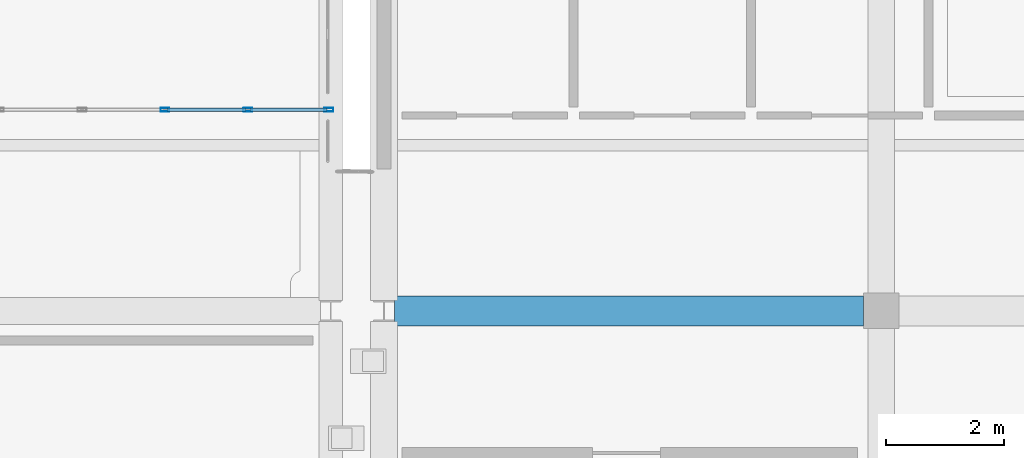
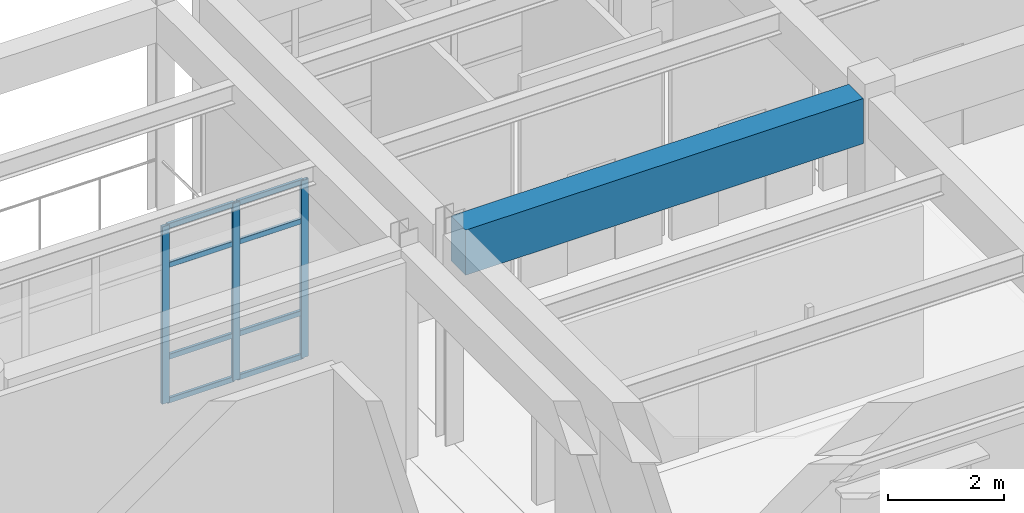
# One storey, part 14 of 139: 11 members, 1 beam, 1 element without a shape of its own.
"""IFC4 building model written with IfcOpenShell, lengths in metres."""

from ifc_helpers import new_model, si_unit, direction, frame, origin, origin_2d, place, context, subcontext, project, spatial, rectangle, hollow_rectangle, extrude, material, material_profile, profile_set, type_object, element, aggregate, save


model = new_model("IFC4")

# Units and contexts
model_context = context("Model", 3, precision=1e-05, world=origin(), true_north=direction((0.0, 1.0)))
body_context = subcontext(model_context, "Body", "Model", "MODEL_VIEW")
ifc_project = project(units=[si_unit("LENGTHUNIT", "METRE"), si_unit("AREAUNIT", "SQUARE_METRE"), si_unit("VOLUMEUNIT", "CUBIC_METRE"), si_unit("PLANEANGLEUNIT", "RADIAN"), si_unit("MASSUNIT", "GRAM", prefix="KILO")], contexts=[model_context])

# Site, building, storey
site_placement = place(None, origin())
site = spatial("IfcSite", under=ifc_project, at=site_placement, CompositionType="ELEMENT")
building_placement = place(site_placement, origin())
building = spatial("IfcBuilding", under=site, at=building_placement, Name="Canglan Escarpment Cableway Terminal", CompositionType="ELEMENT")
storey_placement = place(building_placement, frame((0.0, 0.0, 14.39990234375)))
storey = spatial("IfcBuildingStorey", under=building, at=storey_placement, Name="L03", CompositionType="ELEMENT", Elevation=14.39990234375)

# Beam
ifc_material_1 = material(Name="Concrete C50", Category="concrete")
ifc_material_profile_1 = material_profile(ifc_material_1, rectangle(XDim=0.5, YDim=0.949951171875, at=origin_2d()), Name="RC 500x950")
ifc_profile_set_1 = profile_set([ifc_material_profile_1], Name="Concrete C50")
beam_type = type_object("IfcBeamType", Name="BM-RC500x950", PredefinedType="BEAM", material=ifc_profile_set_1)
beam_placement = place(storey_placement, frame((111.675048828125, 16.39990234375, 4.005126953125), z_axis=(1.0, 0.0, 0.0), x_axis=(0.0, 1.0, 0.0)))
element("IfcBeam", 1, at=beam_placement, inside=storey, type_object=beam_type, Name="Primary structural girder B-01", PredefinedType="BEAM", context=body_context, shape_type="SweptSolid", body=[
    extrude(rectangle(XDim=0.5, YDim=0.949951171875, at=origin_2d()), origin(), (0.0, 0.0, 1.0), 7.925048828125),
])

# Curtain wall, members
ifc_material_2 = material(Name="Anodized bronze aluminium and Low-E double glazing", Category="aluminium")
curtain_wall_type = type_object("IfcCurtainWallType", Name="CW-BAY-8400x3725", PredefinedType="NOTDEFINED", material=ifc_material_2)
curtain_wall_placement = place(storey_placement, origin())
curtain_wall = element("IfcCurtainWall", 2, at=curtain_wall_placement, inside=storey, type_object=curtain_wall_type, Name="Classical bay-between-piers glazed curtain wall CW-14", PredefinedType="NOTDEFINED")
ifc_material_3 = material(Name="Thermally broken anodized aluminium 6063-T6", Category="aluminium")
ifc_material_profile_2 = material_profile(ifc_material_3, hollow_rectangle(XDim=0.06494140625, YDim=0.14990234375, WallThickness=0.00341796875, InnerFilletRadius=0.00341796875, OuterFilletRadius=0.007080078125, at=origin_2d()), Name="ALU-MULL 65x150x3.5")
ifc_profile_set_2 = profile_set([ifc_material_profile_2], Name="Thermally broken anodized aluminium 6063-T6")
member_type_1 = type_object("IfcMemberType", Name="CWM-02", PredefinedType="MULLION", material=ifc_profile_set_2)
member_1_placement = place(storey_placement, frame((110.5673828125, 19.800048828125, 0.0), z_axis=(0.0, 0.0, 1.0), x_axis=(0.0, -1.0, 0.0)))
member_1 = element("IfcMember", 3, at=member_1_placement, type_object=member_type_1, Name="CW-14 mullion 1", PredefinedType="MULLION", context=body_context, shape_type="SweptSolid", body=[
    extrude(hollow_rectangle(XDim=0.06494140625, YDim=0.14990234375, WallThickness=0.00341796875, InnerFilletRadius=0.00341796875, OuterFilletRadius=0.007080078125, at=origin_2d()), origin(), (0.0, 0.0, 1.0), 3.735107421875),
])
member_2_placement = place(storey_placement, frame((109.199951171875, 19.800048828125, 0.0), z_axis=(0.0, 0.0, 1.0), x_axis=(0.0, -1.0, 0.0)))
member_2 = element("IfcMember", 4, at=member_2_placement, type_object=member_type_1, Name="CW-14 mullion 2", PredefinedType="MULLION", context=body_context, shape_type="SweptSolid", body=[
    extrude(hollow_rectangle(XDim=0.06494140625, YDim=0.14990234375, WallThickness=0.00341796875, InnerFilletRadius=0.00341796875, OuterFilletRadius=0.007080078125, at=origin_2d()), origin(), (0.0, 0.0, 1.0), 3.735107421875),
])
member_3_placement = place(storey_placement, frame((107.800048828125, 19.800048828125, 0.0), z_axis=(0.0, 0.0, 1.0), x_axis=(0.0, -1.0, 0.0)))
member_3 = element("IfcMember", 5, at=member_3_placement, type_object=member_type_1, Name="CW-14 mullion 3", PredefinedType="MULLION", context=body_context, shape_type="SweptSolid", body=[
    extrude(hollow_rectangle(XDim=0.06494140625, YDim=0.14990234375, WallThickness=0.00341796875, InnerFilletRadius=0.00341796875, OuterFilletRadius=0.007080078125, at=origin_2d()), origin(), (0.0, 0.0, 1.0), 3.735107421875),
])
ifc_material_profile_3 = material_profile(ifc_material_3, hollow_rectangle(XDim=0.06005859375, YDim=0.110107421875, WallThickness=0.0029296875, InnerFilletRadius=0.0029296875, OuterFilletRadius=0.006103515625, at=origin_2d()), Name="ALU-TRAN 60x110x3")
ifc_profile_set_3 = profile_set([ifc_material_profile_3], Name="Thermally broken anodized aluminium 6063-T6")
member_type_2 = type_object("IfcMemberType", Name="CWT-02", PredefinedType="USERDEFINED", material=ifc_profile_set_3)
member_4_placement = place(storey_placement, frame((110.534912109375, 19.800048828125, 0.030029296875), z_axis=(-1.0, 0.0, 0.0), x_axis=(0.0, -1.0, 0.0)))
member_4 = element("IfcMember", 6, at=member_4_placement, type_object=member_type_2, Name="CW-14 transom 1.1", ObjectType="TRANSOM", PredefinedType="USERDEFINED", context=body_context, shape_type="SweptSolid", body=[
    extrude(hollow_rectangle(XDim=0.06005859375, YDim=0.110107421875, WallThickness=0.0029296875, InnerFilletRadius=0.0029296875, OuterFilletRadius=0.006103515625, at=origin_2d()), origin(), (0.0, 0.0, 1.0), 1.302490234375),
])
member_5_placement = place(storey_placement, frame((110.534912109375, 19.800048828125, 0.9501953125), z_axis=(-1.0, 0.0, 0.0), x_axis=(0.0, -1.0, 0.0)))
member_5 = element("IfcMember", 7, at=member_5_placement, type_object=member_type_2, Name="CW-14 transom 1.2", ObjectType="TRANSOM", PredefinedType="USERDEFINED", context=body_context, shape_type="SweptSolid", body=[
    extrude(hollow_rectangle(XDim=0.06005859375, YDim=0.110107421875, WallThickness=0.0029296875, InnerFilletRadius=0.0029296875, OuterFilletRadius=0.006103515625, at=origin_2d()), origin(), (0.0, 0.0, 1.0), 1.302490234375),
])
member_6_placement = place(storey_placement, frame((110.534912109375, 19.800048828125, 2.885009765625), z_axis=(-1.0, 0.0, 0.0), x_axis=(0.0, -1.0, 0.0)))
member_6 = element("IfcMember", 8, at=member_6_placement, type_object=member_type_2, Name="CW-14 transom 1.3", ObjectType="TRANSOM", PredefinedType="USERDEFINED", context=body_context, shape_type="SweptSolid", body=[
    extrude(hollow_rectangle(XDim=0.06005859375, YDim=0.110107421875, WallThickness=0.0029296875, InnerFilletRadius=0.0029296875, OuterFilletRadius=0.006103515625, at=origin_2d()), origin(), (0.0, 0.0, 1.0), 1.302490234375),
])
member_7_placement = place(storey_placement, frame((110.534912109375, 19.800048828125, 3.705078125), z_axis=(-1.0, 0.0, 0.0), x_axis=(0.0, -1.0, 0.0)))
member_7 = element("IfcMember", 9, at=member_7_placement, type_object=member_type_2, Name="CW-14 transom 1.4", ObjectType="TRANSOM", PredefinedType="USERDEFINED", context=body_context, shape_type="SweptSolid", body=[
    extrude(hollow_rectangle(XDim=0.06005859375, YDim=0.110107421875, WallThickness=0.0029296875, InnerFilletRadius=0.0029296875, OuterFilletRadius=0.006103515625, at=origin_2d()), origin(), (0.0, 0.0, 1.0), 1.302490234375),
])
member_8_placement = place(storey_placement, frame((109.16748046875, 19.800048828125, 0.030029296875), z_axis=(-1.0, 0.0, 0.0), x_axis=(0.0, -1.0, 0.0)))
member_8 = element("IfcMember", 10, at=member_8_placement, type_object=member_type_2, Name="CW-14 transom 2.1", ObjectType="TRANSOM", PredefinedType="USERDEFINED", context=body_context, shape_type="SweptSolid", body=[
    extrude(hollow_rectangle(XDim=0.06005859375, YDim=0.110107421875, WallThickness=0.0029296875, InnerFilletRadius=0.0029296875, OuterFilletRadius=0.006103515625, at=origin_2d()), origin(), (0.0, 0.0, 1.0), 1.3349609375),
])
member_9_placement = place(storey_placement, frame((109.16748046875, 19.800048828125, 0.9501953125), z_axis=(-1.0, 0.0, 0.0), x_axis=(0.0, -1.0, 0.0)))
member_9 = element("IfcMember", 11, at=member_9_placement, type_object=member_type_2, Name="CW-14 transom 2.2", ObjectType="TRANSOM", PredefinedType="USERDEFINED", context=body_context, shape_type="SweptSolid", body=[
    extrude(hollow_rectangle(XDim=0.06005859375, YDim=0.110107421875, WallThickness=0.0029296875, InnerFilletRadius=0.0029296875, OuterFilletRadius=0.006103515625, at=origin_2d()), origin(), (0.0, 0.0, 1.0), 1.3349609375),
])
member_10_placement = place(storey_placement, frame((109.16748046875, 19.800048828125, 2.885009765625), z_axis=(-1.0, 0.0, 0.0), x_axis=(0.0, -1.0, 0.0)))
member_10 = element("IfcMember", 12, at=member_10_placement, type_object=member_type_2, Name="CW-14 transom 2.3", ObjectType="TRANSOM", PredefinedType="USERDEFINED", context=body_context, shape_type="SweptSolid", body=[
    extrude(hollow_rectangle(XDim=0.06005859375, YDim=0.110107421875, WallThickness=0.0029296875, InnerFilletRadius=0.0029296875, OuterFilletRadius=0.006103515625, at=origin_2d()), origin(), (0.0, 0.0, 1.0), 1.3349609375),
])
member_11_placement = place(storey_placement, frame((109.16748046875, 19.800048828125, 3.705078125), z_axis=(-1.0, 0.0, 0.0), x_axis=(0.0, -1.0, 0.0)))
member_11 = element("IfcMember", 13, at=member_11_placement, type_object=member_type_2, Name="CW-14 transom 2.4", ObjectType="TRANSOM", PredefinedType="USERDEFINED", context=body_context, shape_type="SweptSolid", body=[
    extrude(hollow_rectangle(XDim=0.06005859375, YDim=0.110107421875, WallThickness=0.0029296875, InnerFilletRadius=0.0029296875, OuterFilletRadius=0.006103515625, at=origin_2d()), origin(), (0.0, 0.0, 1.0), 1.3349609375),
])
aggregate(curtain_wall, [member_1, member_2, member_3, member_4, member_5, member_6, member_7, member_8, member_9, member_10, member_11])

save(model, "model.ifc")
